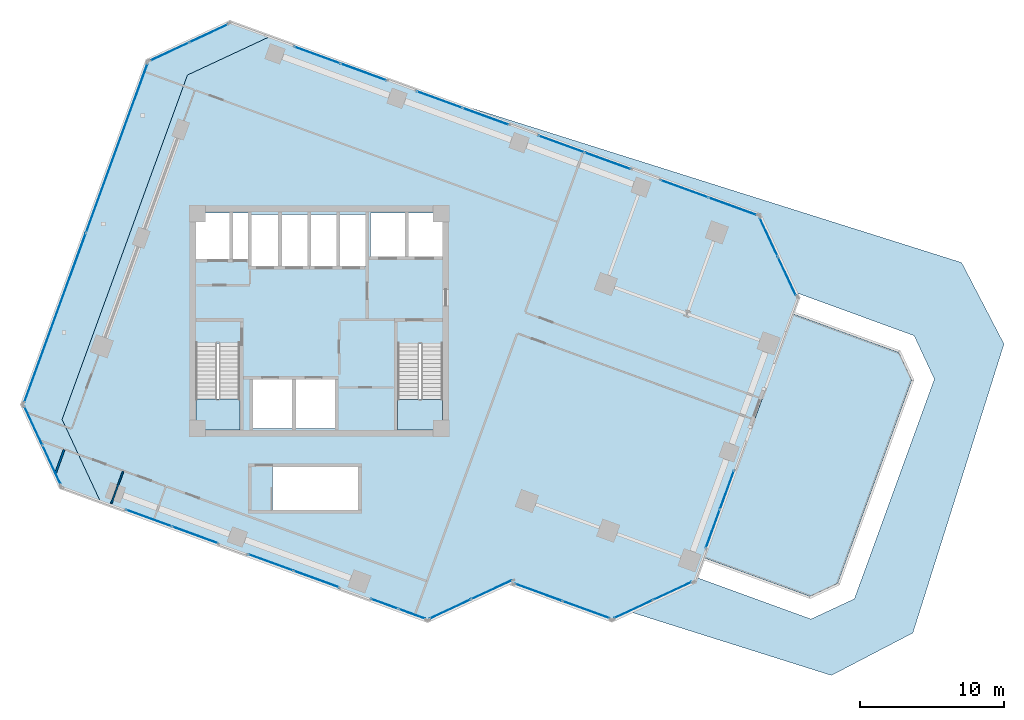
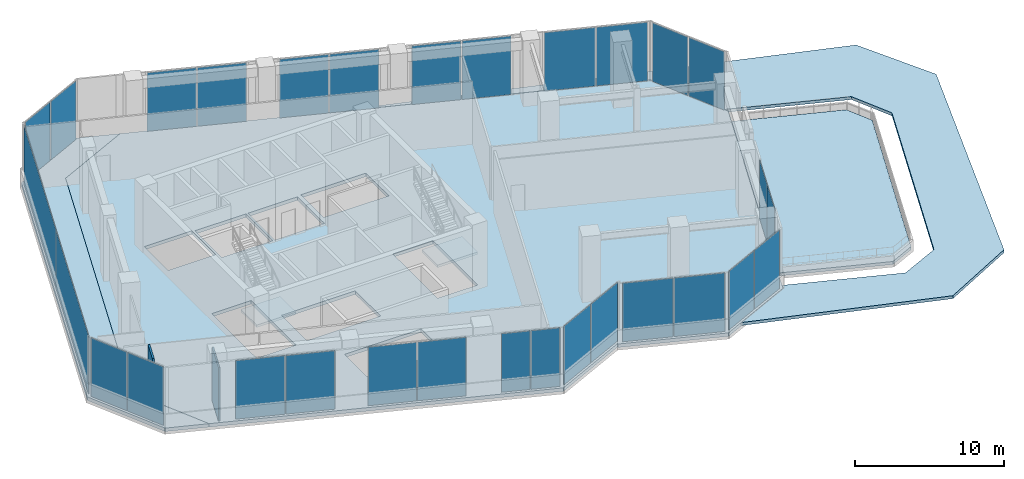
# One storey, part 15 of 21: 30 plates, 6 slabs, 2 walls, 17 elements without a shape of their own.
"""IFC4 building model written with IfcOpenShell, lengths in metres."""

from ifc_helpers import new_model, si_unit, direction, frame, frame_2d, origin, origin_2d, place, context, subcontext, project, spatial, polyline, rectangle, outline, extrude, source, transform, mapped, material, layer, layer_set, type_object, element, aggregate, save


model = new_model("IFC4")

# Units and contexts
model_context = context("Model", 3, precision=1e-05, world=origin(), true_north=direction((0.0, 1.0)))
body_context = subcontext(model_context, "Body", "Model", "MODEL_VIEW")
ifc_project = project(units=[si_unit("LENGTHUNIT", "METRE"), si_unit("AREAUNIT", "SQUARE_METRE"), si_unit("VOLUMEUNIT", "CUBIC_METRE"), si_unit("PLANEANGLEUNIT", "RADIAN"), si_unit("MASSUNIT", "GRAM", prefix="KILO")], contexts=[model_context])

# Site, building, storey
site_placement = place(None, origin())
site = spatial("IfcSite", under=ifc_project, at=site_placement, CompositionType="ELEMENT")
building_placement = place(site_placement, origin())
building = spatial("IfcBuilding", under=site, at=building_placement, Name="Torre Montelarca", CompositionType="ELEMENT")
storey_placement = place(building_placement, frame((0.0, 0.0, 127.60009765625)))
storey = spatial("IfcBuildingStorey", under=building, at=storey_placement, Name="L28", CompositionType="ELEMENT", Elevation=127.60009765625)

# Slabs
ifc_material_1 = material(Name="Concrete C40/50", Category="concrete")
ifc_layer_1 = layer(ifc_material_1, 0.280029296875, Name="Concrete C40/50", Category="concrete")
ifc_layer_set_1 = layer_set([ifc_layer_1], Name="Concrete C40/50")
slab_type_1 = type_object("IfcSlabType", Name="SL-FLR-280", PredefinedType="FLOOR", material=ifc_layer_set_1)
slab_1_placement = place(storey_placement, frame((0.0, 0.0, -0.280029296875)))
element("IfcSlab", 1, at=slab_1_placement, inside=storey, type_object=slab_type_1, Name="L28 Structural Floor Slab", PredefinedType="FLOOR", context=body_context, shape_type="SweptSolid", body=[
    extrude(outline(polyline([(25.517822265625, 11.169677734375), (31.28564453125, 13.859130859375), (31.25146484375, 13.76513671875), (38.299072265625, 11.199951171875), (44.06689453125, 13.889404296875), (51.249267578125, 33.623046875), (48.559814453125, 39.390869140625), (14.63671875, 51.73779296875), (8.869140625, 49.048095703125), (0.181884765625, 25.179931640625), (2.871337890625, 19.412353515625), (25.517822265625, 11.169677734375)]), holes=[polyline([(20.699951171875, 18.89990234375), (14.760009765625, 18.89990234375), (14.760009765625, 21.889892578125), (20.699951171875, 21.889892578125), (20.699951171875, 18.89990234375)]), polyline([(19.10009765625, 24.550048828125), (13.39990234375, 24.550048828125), (13.39990234375, 27.949951171875), (19.10009765625, 27.949951171875), (19.10009765625, 24.550048828125)]), polyline([(23.43994140625, 24.449951171875), (23.43994140625, 30.429931640625), (26.550048828125, 30.429931640625), (26.550048828125, 24.449951171875), (23.43994140625, 24.449951171875)]), polyline([(9.449951171875, 24.449951171875), (9.449951171875, 30.4599609375), (12.5, 30.4599609375), (12.5, 24.449951171875), (9.449951171875, 24.449951171875)]), polyline([(17.25, 35.800048828125), (13.300048828125, 35.800048828125), (13.300048828125, 39.39990234375), (17.25, 39.39990234375), (17.25, 35.800048828125)]), polyline([(21.25, 35.800048828125), (17.39990234375, 35.800048828125), (17.39990234375, 39.39990234375), (21.25, 39.39990234375), (21.25, 35.800048828125)]), polyline([(13.1201171875, 36.300048828125), (9.449951171875, 36.300048828125), (9.449951171875, 39.5), (13.1201171875, 39.5), (13.1201171875, 36.300048828125)]), polyline([(26.60009765625, 36.449951171875), (21.550048828125, 36.449951171875), (21.550048828125, 39.5), (26.60009765625, 39.5), (26.60009765625, 36.449951171875)])]), origin(), (0.0, 0.0, 1.0), 0.280029296875),
])
slab_2_placement = place(storey_placement, frame((0.0, 0.0, -0.280029296875)))
element("IfcSlab", 2, at=slab_2_placement, inside=storey, type_object=slab_type_1, Name="L28 Sliding Tray Winter Garden Floor Slab W1", PredefinedType="FLOOR", context=body_context, shape_type="SweptSolid", body=[
    extrude(outline(polyline([(2.871337890625, 19.412353515625), (0.181884765625, 25.179931640625), (8.869140625, 49.048095703125), (14.63671875, 51.73779296875), (11.817626953125, 52.763671875), (6.050048828125, 50.07421875), (-2.63720703125, 26.2060546875), (0.05224609375, 20.438232421875), (2.871337890625, 19.412353515625)])), origin(), (0.0, 0.0, 1.0), 0.280029296875),
])
ifc_material_2 = material(Name="Architectural concrete C40/50", Category="concrete")
ifc_layer_2 = layer(ifc_material_2, 0.239990234375, Name="Architectural concrete C40/50", Category="concrete")
ifc_layer_set_2 = layer_set([ifc_layer_2], Name="Architectural concrete C40/50")
slab_type_2 = type_object("IfcSlabType", Name="SL-ROOF-EXT-240", PredefinedType="ROOF", material=ifc_layer_set_2)
slab_3_placement = place(storey_placement, frame((0.0, 0.0, -0.239990234375)))
element("IfcSlab", 3, at=slab_3_placement, inside=storey, type_object=slab_type_2, Name="L27 Setback and Tray Overhang Roof Cap Slab 01", PredefinedType="ROOF", context=body_context, shape_type="SweptSolid", body=[
    extrude(outline(polyline([(48.565673828125, 39.397216796875), (51.1103515625, 33.939697265625), (59.228759765625, 30.98486328125), (60.6328125, 27.9736328125), (55.091796875, 12.74951171875), (52.080322265625, 11.34521484375), (44.194091796875, 14.2158203125), (44.0732421875, 13.883544921875), (39.6328125, 11.81298828125), (53.49609375, 7.44189453125), (59.14111328125, 10.380615234375), (65.455810546875, 30.40869140625), (62.517333984375, 36.053466796875), (26.88330078125, 47.288818359375), (48.565673828125, 39.397216796875)])), origin(), (0.0, 0.0, 1.0), 0.239990234375),
])

# Stair, slab
stair_type_1 = type_object("IfcStairType", Name="ST-CORE-ST1", PredefinedType="HALF_TURN_STAIR", material=ifc_material_1)
stair_1_placement = place(storey_placement, origin())
stair_1 = element("IfcStair", 4, at=stair_1_placement, inside=storey, type_object=stair_type_1, Name="L28 Protected Exit Stair ST1", PredefinedType="HALF_TURN_STAIR")
ifc_layer_3 = layer(ifc_material_1, 0.199951171875, Name="Concrete C40/50", Category="concrete")
ifc_layer_set_3 = layer_set([ifc_layer_3], Name="Concrete C40/50")
slab_type_3 = type_object("IfcSlabType", Name="SL-ST-LAND-ST1", PredefinedType="LANDING", material=ifc_layer_set_3)
slab_4_placement = place(storey_placement, frame((0.0, 0.0, 2.5)))
slab_4 = element("IfcSlab", 5, at=slab_4_placement, type_object=slab_type_3, Name="ST1 landing 1", PredefinedType="LANDING", context=body_context, shape_type="SweptSolid", body=[
    extrude(outline(polyline([(9.449951171875, 26.580078125), (9.449951171875, 24.449951171875), (12.5, 24.449951171875), (12.5, 26.580078125), (9.449951171875, 26.580078125)])), origin(), (0.0, 0.0, 1.0), 0.199951171875),
])
aggregate(stair_1, [slab_4])

stair_type_2 = type_object("IfcStairType", Name="ST-CORE-ST2", PredefinedType="HALF_TURN_STAIR", material=ifc_material_1)
stair_2_placement = place(storey_placement, origin())
stair_2 = element("IfcStair", 6, at=stair_2_placement, inside=storey, type_object=stair_type_2, Name="L28 Protected Exit Stair ST2", PredefinedType="HALF_TURN_STAIR")
ifc_layer_4 = layer(ifc_material_1, 0.199951171875, Name="Concrete C40/50", Category="concrete")
ifc_layer_set_4 = layer_set([ifc_layer_4], Name="Concrete C40/50")
slab_type_4 = type_object("IfcSlabType", Name="SL-ST-LAND-ST2", PredefinedType="LANDING", material=ifc_layer_set_4)
slab_5_placement = place(storey_placement, frame((0.0, 0.0, 2.5)))
slab_5 = element("IfcSlab", 7, at=slab_5_placement, type_object=slab_type_4, Name="ST2 landing 1", PredefinedType="LANDING", context=body_context, shape_type="SweptSolid", body=[
    extrude(outline(polyline([(23.43994140625, 26.550048828125), (23.43994140625, 24.449951171875), (26.550048828125, 24.449951171875), (26.550048828125, 26.550048828125), (23.43994140625, 26.550048828125)])), origin(), (0.0, 0.0, 1.0), 0.199951171875),
])
aggregate(stair_2, [slab_5])

# Slab
ifc_layer_5 = layer(ifc_material_2, 0.239990234375, Name="Architectural concrete C40/50", Category="concrete")
ifc_layer_set_5 = layer_set([ifc_layer_5], Name="Architectural concrete C40/50")
slab_type_5 = type_object("IfcSlabType", Name="SL-TER-250", PredefinedType="FLOOR", material=ifc_layer_set_5)
slab_6_placement = place(storey_placement, frame((0.0, 0.0, -0.239990234375)))
element("IfcSlab", 8, at=slab_6_placement, inside=storey, type_object=slab_type_5, Name="L28 Outdoor Setback Sky Terrace 01", PredefinedType="FLOOR", context=body_context, shape_type="SweptSolid", body=[
    extrude(outline(polyline([(44.682373046875, 15.5810546875), (52.011962890625, 12.9130859375), (53.9345703125, 13.809814453125), (59.06494140625, 27.905029296875), (58.16845703125, 29.82763671875), (50.8388671875, 32.495361328125), (44.682373046875, 15.5810546875)])), origin(), (0.0, 0.0, 1.0), 0.239990234375),
])

# Curtain wall, plates
ifc_material_3 = material(Name="Insulated low-E laminated glass", Category="glass")
curtain_wall_type = type_object("IfcCurtainWallType", Name="CW-SYS-Z2", PredefinedType="USERDEFINED", material=ifc_material_3)
curtain_wall_1_placement = place(storey_placement, origin())
curtain_wall_1 = element("IfcCurtainWall", 9, at=curtain_wall_1_placement, inside=storey, type_object=curtain_wall_type, Name="L28 Curtain Wall Run CW-T3-L28-E01-B1", ObjectType="UNITISED GLAZING", PredefinedType="USERDEFINED")
ifc_layer_6 = layer(ifc_material_3, 0.031982421875, Name="Insulated low-E laminated glass", Category="glass")
ifc_layer_set_6 = layer_set([ifc_layer_6], Name="Insulated low-E laminated glass")
plate_type = type_object("IfcPlateType", Name="CWP-GLZ-32", PredefinedType="CURTAIN_PANEL", material=ifc_layer_set_6)
shared_shape_1 = source(origin(), body_context, "Body", "SweptSolid", [
    extrude(rectangle(XDim=3.347412109375, YDim=0.031982421875, at=origin_2d()), origin(), (0.0, 0.0, 1.0), 4.7900390625),
])
plate_1_placement = place(storey_placement, frame((6.19873046875, 18.33935546875, 0.06494140625), z_axis=(0.0, 0.0, 1.0), x_axis=(0.939698464616, -0.342004087108, 0.0)))
plate_1 = element("IfcPlate", 10, at=plate_1_placement, type_object=plate_type, Name="CW panel 1.1", PredefinedType="CURTAIN_PANEL", context=body_context, shape_type="MappedRepresentation", body=[
    mapped(shared_shape_1, transform((0.0, 0.0, 0.0), scale=1.0)),
])
plate_2_placement = place(storey_placement, frame((9.405517578125, 17.17236328125, 0.06494140625), z_axis=(0.0, 0.0, 1.0), x_axis=(0.939698464616, -0.342004087108, 0.0)))
plate_2 = element("IfcPlate", 11, at=plate_2_placement, type_object=plate_type, Name="CW panel 2.1", PredefinedType="CURTAIN_PANEL", context=body_context, shape_type="MappedRepresentation", body=[
    mapped(shared_shape_1, transform((0.0, 0.0, 0.0), scale=1.0)),
])
aggregate(curtain_wall_1, [plate_1, plate_2])

curtain_wall_2_placement = place(storey_placement, origin())
curtain_wall_2 = element("IfcCurtainWall", 12, at=curtain_wall_2_placement, inside=storey, type_object=curtain_wall_type, Name="L28 Curtain Wall Run CW-T3-L28-E08-B2", ObjectType="UNITISED GLAZING", PredefinedType="USERDEFINED")
plate_3_placement = place(storey_placement, frame((37.99658203125, 43.09716796875, 0.06494140625), z_axis=(0.0, 0.0, 1.0), x_axis=(-0.939693800085, 0.342016903212, 0.0)))
plate_3 = element("IfcPlate", 13, at=plate_3_placement, type_object=plate_type, Name="CW panel 1.1", PredefinedType="CURTAIN_PANEL", context=body_context, shape_type="MappedRepresentation", body=[
    mapped(shared_shape_1, transform((0.0, 0.0, 0.0), scale=1.0)),
])
plate_4_placement = place(storey_placement, frame((34.789794921875, 44.26416015625, 0.06494140625), z_axis=(0.0, 0.0, 1.0), x_axis=(-0.939693800085, 0.342016903212, 0.0)))
plate_4 = element("IfcPlate", 14, at=plate_4_placement, type_object=plate_type, Name="CW panel 2.1", PredefinedType="CURTAIN_PANEL", context=body_context, shape_type="MappedRepresentation", body=[
    mapped(shared_shape_1, transform((0.0, 0.0, 0.0), scale=1.0)),
])
aggregate(curtain_wall_2, [plate_3, plate_4])

curtain_wall_3_placement = place(storey_placement, origin())
curtain_wall_3 = element("IfcCurtainWall", 15, at=curtain_wall_3_placement, inside=storey, type_object=curtain_wall_type, Name="L28 Curtain Wall Run CW-T3-L28-E08-B3", ObjectType="UNITISED GLAZING", PredefinedType="USERDEFINED")
plate_5_placement = place(storey_placement, frame((29.539306640625, 46.17529296875, 0.06494140625), z_axis=(0.0, 0.0, 1.0), x_axis=(-0.939693800085, 0.342016903212, 0.0)))
plate_5 = element("IfcPlate", 16, at=plate_5_placement, type_object=plate_type, Name="CW panel 1.1", PredefinedType="CURTAIN_PANEL", context=body_context, shape_type="MappedRepresentation", body=[
    mapped(shared_shape_1, transform((0.0, 0.0, 0.0), scale=1.0)),
])
plate_6_placement = place(storey_placement, frame((26.33251953125, 47.342529296875, 0.06494140625), z_axis=(0.0, 0.0, 1.0), x_axis=(-0.939693800085, 0.342016903212, 0.0)))
plate_6 = element("IfcPlate", 17, at=plate_6_placement, type_object=plate_type, Name="CW panel 2.1", PredefinedType="CURTAIN_PANEL", context=body_context, shape_type="MappedRepresentation", body=[
    mapped(shared_shape_1, transform((0.0, 0.0, 0.0), scale=1.0)),
])
aggregate(curtain_wall_3, [plate_5, plate_6])

curtain_wall_4_placement = place(storey_placement, origin())
curtain_wall_4 = element("IfcCurtainWall", 18, at=curtain_wall_4_placement, inside=storey, type_object=curtain_wall_type, Name="L28 Curtain Wall Run CW-T3-L28-E01-B2", ObjectType="UNITISED GLAZING", PredefinedType="USERDEFINED")
shared_shape_2 = source(origin(), body_context, "Body", "SweptSolid", [
    extrude(rectangle(XDim=3.31005859375, YDim=0.031982421875, at=origin_2d()), origin(), (0.0, 0.0, 1.0), 4.7900390625),
])
plate_7_placement = place(storey_placement, frame((14.638427734375, 15.267822265625, 0.06494140625), z_axis=(0.0, 0.0, 1.0), x_axis=(0.939692704602, -0.342019913043, 0.0)))
plate_7 = element("IfcPlate", 19, at=plate_7_placement, type_object=plate_type, Name="CW panel 1.1", PredefinedType="CURTAIN_PANEL", context=body_context, shape_type="MappedRepresentation", body=[
    mapped(shared_shape_2, transform((0.0, 0.0, 0.0), scale=1.0)),
])
plate_8_placement = place(storey_placement, frame((17.809814453125, 14.11328125, 0.06494140625), z_axis=(0.0, 0.0, 1.0), x_axis=(0.939692704602, -0.342019913043, 0.0)))
plate_8 = element("IfcPlate", 20, at=plate_8_placement, type_object=plate_type, Name="CW panel 2.1", PredefinedType="CURTAIN_PANEL", context=body_context, shape_type="MappedRepresentation", body=[
    mapped(shared_shape_2, transform((0.0, 0.0, 0.0), scale=1.0)),
])
aggregate(curtain_wall_4, [plate_7, plate_8])

curtain_wall_5_placement = place(storey_placement, origin())
curtain_wall_5 = element("IfcCurtainWall", 21, at=curtain_wall_5_placement, inside=storey, type_object=curtain_wall_type, Name="L28 Curtain Wall Run CW-T3-L28-E01-B3", ObjectType="UNITISED GLAZING", PredefinedType="USERDEFINED")
shared_shape_3 = source(origin(), body_context, "Body", "SweptSolid", [
    extrude(rectangle(XDim=1.95458984375, YDim=0.031982421875, at=origin_2d()), origin(), (0.0, 0.0, 1.0), 4.7900390625),
])
plate_9_placement = place(storey_placement, frame((22.529296875, 12.395751953125, 0.06494140625), z_axis=(0.0, 0.0, 1.0), x_axis=(0.939691650161, -0.342022810083, 0.0)))
plate_9 = element("IfcPlate", 22, at=plate_9_placement, type_object=plate_type, Name="CW panel 1.1", PredefinedType="CURTAIN_PANEL", context=body_context, shape_type="MappedRepresentation", body=[
    mapped(shared_shape_3, transform((0.0, 0.0, 0.0), scale=1.0)),
])
plate_10_placement = place(storey_placement, frame((24.427001953125, 11.705078125, 0.06494140625), z_axis=(0.0, 0.0, 1.0), x_axis=(0.939691650161, -0.342022810083, 0.0)))
plate_10 = element("IfcPlate", 23, at=plate_10_placement, type_object=plate_type, Name="CW panel 2.1", PredefinedType="CURTAIN_PANEL", context=body_context, shape_type="MappedRepresentation", body=[
    mapped(shared_shape_3, transform((0.0, 0.0, 0.0), scale=1.0)),
])
aggregate(curtain_wall_5, [plate_9, plate_10])

curtain_wall_6_placement = place(storey_placement, origin())
curtain_wall_6 = element("IfcCurtainWall", 24, at=curtain_wall_6_placement, inside=storey, type_object=curtain_wall_type, Name="L28 Curtain Wall Run CW-T3-L28-E02-B1", ObjectType="UNITISED GLAZING", PredefinedType="USERDEFINED")
shared_shape_4 = source(origin(), body_context, "Body", "SweptSolid", [
    extrude(rectangle(XDim=3.102294921875, YDim=0.031982421875, at=origin_2d()), origin(), (0.0, 0.0, 1.0), 4.7900390625),
])
plate_11_placement = place(storey_placement, frame((27.078125, 12.04052734375, 0.06494140625), z_axis=(0.0, 0.0, 1.0), x_axis=(0.906321211244, 0.42258947224, 0.0)))
plate_11 = element("IfcPlate", 25, at=plate_11_placement, type_object=plate_type, Name="CW panel 1.1", PredefinedType="CURTAIN_PANEL", context=body_context, shape_type="MappedRepresentation", body=[
    mapped(shared_shape_4, transform((0.0, 0.0, 0.0), scale=1.0)),
])
plate_12_placement = place(storey_placement, frame((29.94873046875, 13.379150390625, 0.06494140625), z_axis=(0.0, 0.0, 1.0), x_axis=(0.906321211244, 0.42258947224, 0.0)))
plate_12 = element("IfcPlate", 26, at=plate_12_placement, type_object=plate_type, Name="CW panel 2.1", PredefinedType="CURTAIN_PANEL", context=body_context, shape_type="MappedRepresentation", body=[
    mapped(shared_shape_4, transform((0.0, 0.0, 0.0), scale=1.0)),
])
aggregate(curtain_wall_6, [plate_11, plate_12])

curtain_wall_7_placement = place(storey_placement, origin())
curtain_wall_7 = element("IfcCurtainWall", 27, at=curtain_wall_7_placement, inside=storey, type_object=curtain_wall_type, Name="L28 Curtain Wall Run CW-T3-L28-E04-B1", ObjectType="UNITISED GLAZING", PredefinedType="USERDEFINED")
shared_shape_5 = source(origin(), body_context, "Body", "SweptSolid", [
    extrude(rectangle(XDim=3.448486328125, YDim=0.031982421875, at=origin_2d()), origin(), (0.0, 0.0, 1.0), 4.7900390625),
])
plate_13_placement = place(storey_placement, frame((33.20458984375, 13.192626953125, 0.06494140625), z_axis=(0.0, 0.0, 1.0), x_axis=(0.939694579801, -0.342014760928, 0.0)))
plate_13 = element("IfcPlate", 28, at=plate_13_placement, type_object=plate_type, Name="CW panel 1.1", PredefinedType="CURTAIN_PANEL", context=body_context, shape_type="MappedRepresentation", body=[
    mapped(shared_shape_5, transform((0.0, 0.0, 0.0), scale=1.0)),
])
plate_14_placement = place(storey_placement, frame((36.50634765625, 11.990966796875, 0.06494140625), z_axis=(0.0, 0.0, 1.0), x_axis=(0.939694579801, -0.342014760928, 0.0)))
plate_14 = element("IfcPlate", 29, at=plate_14_placement, type_object=plate_type, Name="CW panel 2.1", PredefinedType="CURTAIN_PANEL", context=body_context, shape_type="MappedRepresentation", body=[
    mapped(shared_shape_5, transform((0.0, 0.0, 0.0), scale=1.0)),
])
aggregate(curtain_wall_7, [plate_13, plate_14])

curtain_wall_8_placement = place(storey_placement, origin())
curtain_wall_8 = element("IfcCurtainWall", 30, at=curtain_wall_8_placement, inside=storey, type_object=curtain_wall_type, Name="L28 Curtain Wall Run CW-T3-L28-E05-B1", ObjectType="UNITISED GLAZING", PredefinedType="USERDEFINED")
shared_shape_6 = source(origin(), body_context, "Body", "SweptSolid", [
    extrude(rectangle(XDim=2.918701171875, YDim=0.031982421875, at=origin_2d()), origin(), (0.0, 0.0, 1.0), 4.7900390625),
])
plate_15_placement = place(storey_placement, frame((39.776123046875, 12.0322265625, 0.06494140625), z_axis=(0.0, 0.0, 1.0), x_axis=(0.906317349192, 0.422597755027, 0.0)))
plate_15 = element("IfcPlate", 31, at=plate_15_placement, type_object=plate_type, Name="CW panel 1.1", PredefinedType="CURTAIN_PANEL", context=body_context, shape_type="MappedRepresentation", body=[
    mapped(shared_shape_6, transform((0.0, 0.0, 0.0), scale=1.0)),
])
plate_16_placement = place(storey_placement, frame((42.47998046875, 13.29296875, 0.06494140625), z_axis=(0.0, 0.0, 1.0), x_axis=(0.906317349192, 0.422597755027, 0.0)))
plate_16 = element("IfcPlate", 32, at=plate_16_placement, type_object=plate_type, Name="CW panel 2.1", PredefinedType="CURTAIN_PANEL", context=body_context, shape_type="MappedRepresentation", body=[
    mapped(shared_shape_6, transform((0.0, 0.0, 0.0), scale=1.0)),
])
aggregate(curtain_wall_8, [plate_15, plate_16])

curtain_wall_9_placement = place(storey_placement, origin())
curtain_wall_9 = element("IfcCurtainWall", 33, at=curtain_wall_9_placement, inside=storey, type_object=curtain_wall_type, Name="L28 Curtain Wall Run CW-T3-L28-E07-B1", ObjectType="UNITISED GLAZING", PredefinedType="USERDEFINED")
plate_17_placement = place(storey_placement, frame((50.4169921875, 35.10009765625, 0.06494140625), z_axis=(0.0, 0.0, 1.0), x_axis=(-0.422597755027, 0.906317349192, 0.0)))
plate_17 = element("IfcPlate", 34, at=plate_17_placement, type_object=plate_type, Name="CW panel 1.1", PredefinedType="CURTAIN_PANEL", context=body_context, shape_type="MappedRepresentation", body=[
    mapped(shared_shape_6, transform((0.0, 0.0, 0.0), scale=1.0)),
])
plate_18_placement = place(storey_placement, frame((49.15625, 37.80419921875, 0.06494140625), z_axis=(0.0, 0.0, 1.0), x_axis=(-0.422597755027, 0.906317349192, 0.0)))
plate_18 = element("IfcPlate", 35, at=plate_18_placement, type_object=plate_type, Name="CW panel 2.1", PredefinedType="CURTAIN_PANEL", context=body_context, shape_type="MappedRepresentation", body=[
    mapped(shared_shape_6, transform((0.0, 0.0, 0.0), scale=1.0)),
])
aggregate(curtain_wall_9, [plate_17, plate_18])

curtain_wall_10_placement = place(storey_placement, origin())
curtain_wall_10 = element("IfcCurtainWall", 36, at=curtain_wall_10_placement, inside=storey, type_object=curtain_wall_type, Name="L28 Curtain Wall Run CW-T3-L28-E09-B1", ObjectType="UNITISED GLAZING", PredefinedType="USERDEFINED")
plate_19_placement = place(storey_placement, frame((10.3408203125, 51.931640625, 0.06494140625), z_axis=(0.0, 0.0, 1.0), x_axis=(-0.906317349192, -0.422597755027, 0.0)))
plate_19 = element("IfcPlate", 37, at=plate_19_placement, type_object=plate_type, Name="CW panel 1.1", PredefinedType="CURTAIN_PANEL", context=body_context, shape_type="MappedRepresentation", body=[
    mapped(shared_shape_6, transform((0.0, 0.0, 0.0), scale=1.0)),
])
plate_20_placement = place(storey_placement, frame((7.63671875, 50.670654296875, 0.06494140625), z_axis=(0.0, 0.0, 1.0), x_axis=(-0.906317349192, -0.422597755027, 0.0)))
plate_20 = element("IfcPlate", 38, at=plate_20_placement, type_object=plate_type, Name="CW panel 2.1", PredefinedType="CURTAIN_PANEL", context=body_context, shape_type="MappedRepresentation", body=[
    mapped(shared_shape_6, transform((0.0, 0.0, 0.0), scale=1.0)),
])
aggregate(curtain_wall_10, [plate_19, plate_20])

curtain_wall_11_placement = place(storey_placement, origin())
curtain_wall_11 = element("IfcCurtainWall", 39, at=curtain_wall_11_placement, inside=storey, type_object=curtain_wall_type, Name="L28 Curtain Wall Run CW-T3-L28-E11-B1", ObjectType="UNITISED GLAZING", PredefinedType="USERDEFINED")
plate_21_placement = place(storey_placement, frame((-1.80517578125, 24.72900390625, 0.06494140625), z_axis=(0.0, 0.0, 1.0), x_axis=(0.422597755027, -0.906317349192, 0.0)))
plate_21 = element("IfcPlate", 40, at=plate_21_placement, type_object=plate_type, Name="CW panel 1.1", PredefinedType="CURTAIN_PANEL", context=body_context, shape_type="MappedRepresentation", body=[
    mapped(shared_shape_6, transform((0.0, 0.0, 0.0), scale=1.0)),
])
plate_22_placement = place(storey_placement, frame((-0.544189453125, 22.02490234375, 0.06494140625), z_axis=(0.0, 0.0, 1.0), x_axis=(0.422597755027, -0.906317349192, 0.0)))
plate_22 = element("IfcPlate", 41, at=plate_22_placement, type_object=plate_type, Name="CW panel 2.1", PredefinedType="CURTAIN_PANEL", context=body_context, shape_type="MappedRepresentation", body=[
    mapped(shared_shape_6, transform((0.0, 0.0, 0.0), scale=1.0)),
])
aggregate(curtain_wall_11, [plate_21, plate_22])

curtain_wall_12_placement = place(storey_placement, origin())
curtain_wall_12 = element("IfcCurtainWall", 42, at=curtain_wall_12_placement, inside=storey, type_object=curtain_wall_type, Name="L28 Curtain Wall Run CW-T3-L28-E06-B1", ObjectType="UNITISED GLAZING", PredefinedType="USERDEFINED")
shared_shape_7 = source(origin(), body_context, "Body", "SweptSolid", [
    extrude(rectangle(XDim=2.81005859375, YDim=0.031982421875, at=origin_2d()), origin(), (0.0, 0.0, 1.0), 4.7900390625),
])
plate_23_placement = place(storey_placement, frame((45.278564453125, 17.598876953125, 0.06494140625), z_axis=(0.0, 0.0, 1.0), x_axis=(0.342023340056, 0.939691457265, 0.0)))
plate_23 = element("IfcPlate", 43, at=plate_23_placement, type_object=plate_type, Name="CW panel 1.1", PredefinedType="CURTAIN_PANEL", context=body_context, shape_type="MappedRepresentation", body=[
    mapped(shared_shape_7, transform((0.0, 0.0, 0.0), scale=1.0)),
])
plate_24_placement = place(storey_placement, frame((46.26171875, 20.300537109375, 0.06494140625), z_axis=(0.0, 0.0, 1.0), x_axis=(0.342023340056, 0.939691457265, 0.0)))
plate_24 = element("IfcPlate", 44, at=plate_24_placement, type_object=plate_type, Name="CW panel 2.1", PredefinedType="CURTAIN_PANEL", context=body_context, shape_type="MappedRepresentation", body=[
    mapped(shared_shape_7, transform((0.0, 0.0, 0.0), scale=1.0)),
])
aggregate(curtain_wall_12, [plate_23, plate_24])

curtain_wall_13_placement = place(storey_placement, origin())
curtain_wall_13 = element("IfcCurtainWall", 45, at=curtain_wall_13_placement, inside=storey, type_object=curtain_wall_type, Name="L28 Curtain Wall Run CW-T3-L28-E08-B1", ObjectType="UNITISED GLAZING", PredefinedType="USERDEFINED")
shared_shape_8 = source(origin(), body_context, "Body", "SweptSolid", [
    extrude(rectangle(XDim=3.4921875, YDim=0.031982421875, at=origin_2d()), origin(), (0.0, 0.0, 1.0), 4.7900390625),
])
plate_25_placement = place(storey_placement, frame((46.657470703125, 39.94482421875, 0.06494140625), z_axis=(0.0, 0.0, 1.0), x_axis=(-0.939693336817, 0.342018176041, 0.0)))
plate_25 = element("IfcPlate", 46, at=plate_25_placement, type_object=plate_type, Name="CW panel 1.1", PredefinedType="CURTAIN_PANEL", context=body_context, shape_type="MappedRepresentation", body=[
    mapped(shared_shape_8, transform((0.0, 0.0, 0.0), scale=1.0)),
])
plate_26_placement = place(storey_placement, frame((43.31494140625, 41.161376953125, 0.06494140625), z_axis=(0.0, 0.0, 1.0), x_axis=(-0.939693336817, 0.342018176041, 0.0)))
plate_26 = element("IfcPlate", 47, at=plate_26_placement, type_object=plate_type, Name="CW panel 2.1", PredefinedType="CURTAIN_PANEL", context=body_context, shape_type="MappedRepresentation", body=[
    mapped(shared_shape_8, transform((0.0, 0.0, 0.0), scale=1.0)),
])
aggregate(curtain_wall_13, [plate_25, plate_26])

curtain_wall_14_placement = place(storey_placement, origin())
curtain_wall_14 = element("IfcCurtainWall", 48, at=curtain_wall_14_placement, inside=storey, type_object=curtain_wall_type, Name="L28 Curtain Wall Run CW-T3-L28-E08-B4", ObjectType="UNITISED GLAZING", PredefinedType="USERDEFINED")
shared_shape_9 = source(origin(), body_context, "Body", "SweptSolid", [
    extrude(rectangle(XDim=3.34765625, YDim=0.031982421875, at=origin_2d()), origin(), (0.0, 0.0, 1.0), 4.7900390625),
])
plate_27_placement = place(storey_placement, frame((21.08203125, 49.25341796875, 0.06494140625), z_axis=(0.0, 0.0, 1.0), x_axis=(-0.939695497802, 0.342012238686, 0.0)))
plate_27 = element("IfcPlate", 49, at=plate_27_placement, type_object=plate_type, Name="CW panel 1.1", PredefinedType="CURTAIN_PANEL", context=body_context, shape_type="MappedRepresentation", body=[
    mapped(shared_shape_9, transform((0.0, 0.0, 0.0), scale=1.0)),
])
plate_28_placement = place(storey_placement, frame((17.875244140625, 50.42041015625, 0.06494140625), z_axis=(0.0, 0.0, 1.0), x_axis=(-0.939695497802, 0.342012238686, 0.0)))
plate_28 = element("IfcPlate", 50, at=plate_28_placement, type_object=plate_type, Name="CW panel 2.1", PredefinedType="CURTAIN_PANEL", context=body_context, shape_type="MappedRepresentation", body=[
    mapped(shared_shape_9, transform((0.0, 0.0, 0.0), scale=1.0)),
])
aggregate(curtain_wall_14, [plate_27, plate_28])

curtain_wall_15_placement = place(storey_placement, origin())
curtain_wall_15 = element("IfcCurtainWall", 51, at=curtain_wall_15_placement, inside=storey, type_object=curtain_wall_type, Name="L28 Curtain Wall Run CW-T3-L28-E10-B1", ObjectType="UNITISED GLAZING", PredefinedType="USERDEFINED")
shared_shape_10 = source(origin(), body_context, "Body", "SweptSolid", [
    extrude(rectangle(XDim=12.4365234375, YDim=0.031982421875, at=origin_2d()), origin(), (0.0, 0.0, 1.0), 4.7900390625),
])
plate_29_placement = place(storey_placement, frame((3.96630859375, 43.969482421875, 0.06494140625), z_axis=(0.0, 0.0, 1.0), x_axis=(-0.342019142012, -0.939692985234, 0.0)))
plate_29 = element("IfcPlate", 52, at=plate_29_placement, type_object=plate_type, Name="CW panel 1.1", PredefinedType="CURTAIN_PANEL", context=body_context, shape_type="MappedRepresentation", body=[
    mapped(shared_shape_10, transform((0.0, 0.0, 0.0), scale=1.0)),
])
plate_30_placement = place(storey_placement, frame((-0.309326171875, 32.2216796875, 0.06494140625), z_axis=(0.0, 0.0, 1.0), x_axis=(-0.342019142012, -0.939692985234, 0.0)))
plate_30 = element("IfcPlate", 53, at=plate_30_placement, type_object=plate_type, Name="CW panel 2.1", PredefinedType="CURTAIN_PANEL", context=body_context, shape_type="MappedRepresentation", body=[
    mapped(shared_shape_10, transform((0.0, 0.0, 0.0), scale=1.0)),
])
aggregate(curtain_wall_15, [plate_29, plate_30])

# Walls
ifc_material_4 = material(Name="Acoustic laminated glass partition", Category="glass")
ifc_layer_7 = layer(ifc_material_4, 0.10009765625, Name="Acoustic laminated glass partition", Category="glass")
ifc_layer_set_7 = layer_set([ifc_layer_7], Name="Acoustic laminated glass partition")
wall_type_1 = type_object("IfcWallType", Name="PW-GLAZ-100", PredefinedType="PARTITIONING", material=ifc_layer_set_7)
wall_1_placement = place(storey_placement, frame((3.5908203125, 19.342041015625, 0.0), z_axis=(0.0, 0.0, 1.0), x_axis=(0.341915305368, 0.939730772059, 0.0)))
element("IfcWall", 54, at=wall_1_placement, inside=storey, type_object=wall_type_1, Name="L28 Interior Partition W-L28-WCD", PredefinedType="PARTITIONING", context=body_context, shape_type="SweptSolid", body=[
    extrude(rectangle(XDim=2.389892578125, YDim=0.10009765625, at=frame_2d((1.19482421875, 0.0))), origin(), (0.0, 0.0, 1.0), 4.39501953125),
])
ifc_material_5 = material(Name="Gypsum plasterboard on steel stud", Category="steel")
ifc_layer_8 = layer(ifc_material_5, 0.135009765625, Name="Gypsum plasterboard on steel stud", Category="steel")
ifc_layer_set_8 = layer_set([ifc_layer_8], Name="Gypsum plasterboard on steel stud")
wall_type_2 = type_object("IfcWallType", Name="PW-PART-135", PredefinedType="PARTITIONING", material=ifc_layer_set_8)
wall_2_placement = place(storey_placement, frame((-0.2548828125, 21.4951171875, 0.0), z_axis=(0.0, 0.0, 1.0), x_axis=(0.341976142036, 0.939708634779, 0.0)))
element("IfcWall", 55, at=wall_2_placement, inside=storey, type_object=wall_type_2, Name="L28 Interior Partition W-L28-WCW", PredefinedType="PARTITIONING", context=body_context, shape_type="SweptSolid", body=[
    extrude(rectangle(XDim=1.681884765625, YDim=0.135009765625, at=frame_2d((0.8408203125, 0.0))), origin(), (0.0, 0.0, 1.0), 5.159912109375),
])

save(model, "model.ifc")
